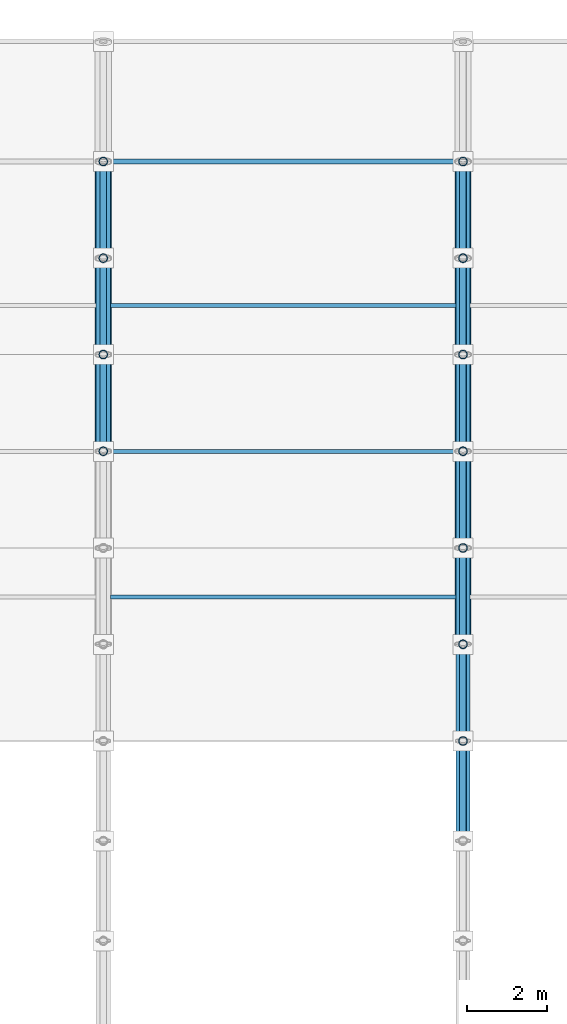
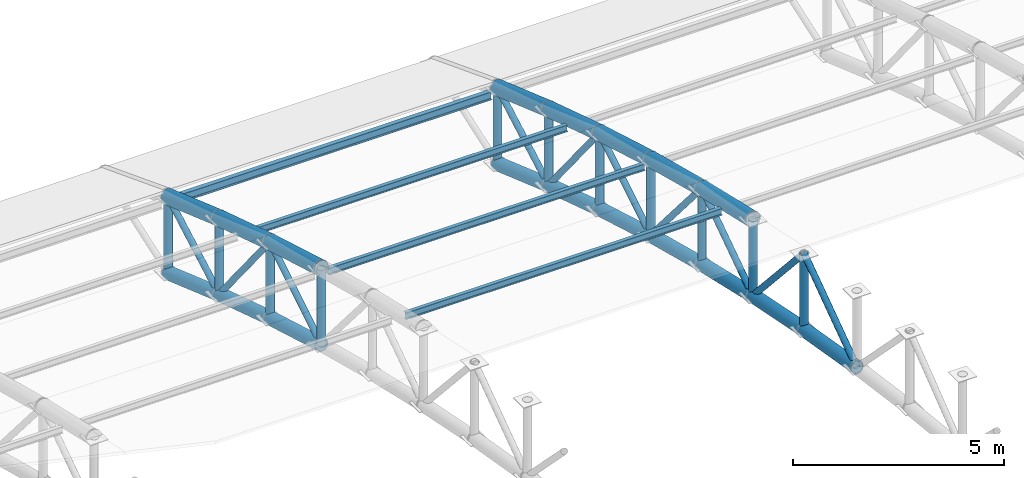
# One storey, part 83 of 195: 43 members.
"""IFC4 building model written with IfcOpenShell, lengths in metres."""

from ifc_helpers import new_model, si_unit, direction, frame, origin, origin_2d, place, context, subcontext, project, spatial, hollow_circle, i_section, extrude, material, material_profile, profile_set, type_object, element, save


model = new_model("IFC4")

# Units and contexts
model_context = context("Model", 3, precision=1e-05, world=origin(), true_north=direction((0.0, 1.0)))
body_context = subcontext(model_context, "Body", "Model", "MODEL_VIEW")
ifc_project = project(units=[si_unit("LENGTHUNIT", "METRE"), si_unit("AREAUNIT", "SQUARE_METRE"), si_unit("VOLUMEUNIT", "CUBIC_METRE"), si_unit("PLANEANGLEUNIT", "RADIAN"), si_unit("MASSUNIT", "GRAM", prefix="KILO")], contexts=[model_context])

# Site, building, storey
site_placement = place(None, origin())
site = spatial("IfcSite", under=ifc_project, at=site_placement, CompositionType="ELEMENT")
building_placement = place(site_placement, origin())
building = spatial("IfcBuilding", under=site, at=building_placement, Name="Marlcrest Central Station", CompositionType="ELEMENT")
storey_placement = place(building_placement, frame((0.0, 0.0, 9.800048828125)))
storey = spatial("IfcBuildingStorey", under=building, at=storey_placement, Name="L02", CompositionType="ELEMENT", Elevation=9.800048828125)

# Members
ifc_material = material(Name="Steel S355", Category="steel")
ifc_material_profile_1 = material_profile(ifc_material, hollow_circle(Radius=0.203125, WallThickness=0.02001953125, at=origin_2d()), Name="CHS 406.4x20")
ifc_profile_set_1 = profile_set([ifc_material_profile_1], Name="Steel S355")
member_type_1 = type_object("IfcMemberType", Name="AC-01", PredefinedType="CHORD", material=ifc_profile_set_1)
member_1_placement = place(storey_placement, frame((180.0, 88.25, 3.927978515625), z_axis=(0.0, 0.960130083362, -0.27955361386), x_axis=(-1.0, 0.0, 0.0)))
element("IfcMember", 1, at=member_1_placement, inside=storey, type_object=member_type_1, Name="mem-AC-01-L02-01640", PredefinedType="CHORD", context=body_context, shape_type="SweptSolid", body=[
    extrude(hollow_circle(Radius=0.203125, WallThickness=0.02001953125, at=origin_2d()), origin(), (0.0, 0.0, 1.0), 2.5205078125),
])
member_2_placement = place(storey_placement, frame((180.0, 90.669921875, 3.223388671875), z_axis=(0.0, 0.952116828449, -0.305734435391), x_axis=(-1.0, 0.0, 0.0)))
element("IfcMember", 2, at=member_2_placement, inside=storey, type_object=member_type_1, Name="mem-AC-01-L02-01644", PredefinedType="CHORD", context=body_context, shape_type="SweptSolid", body=[
    extrude(hollow_circle(Radius=0.203125, WallThickness=0.02001953125, at=origin_2d()), origin(), (0.0, 0.0, 1.0), 2.53125),
])
member_3_placement = place(storey_placement, frame((180.0, 93.080078125, 2.449462890625), z_axis=(0.0, 0.94353735649, -0.331266142109), x_axis=(-1.0, 0.0, 0.0)))
element("IfcMember", 3, at=member_3_placement, inside=storey, type_object=member_type_1, Name="mem-AC-01-L02-01648", PredefinedType="CHORD", context=body_context, shape_type="SweptSolid", body=[
    extrude(hollow_circle(Radius=0.203125, WallThickness=0.02001953125, at=origin_2d()), origin(), (0.0, 0.0, 1.0), 2.564697265625),
])
member_4_placement = place(storey_placement, frame((189.0, 83.419921875, 5.116943359375), z_axis=(0.0, 0.974329612642, -0.225126200004), x_axis=(-1.0, 0.0, 0.0)))
element("IfcMember", 4, at=member_4_placement, inside=storey, type_object=member_type_1, Name="mem-AC-01-L02-01748", PredefinedType="CHORD", context=body_context, shape_type="SweptSolid", body=[
    extrude(hollow_circle(Radius=0.203125, WallThickness=0.02001953125, at=origin_2d()), origin(), (0.0, 0.0, 1.0), 2.4736328125),
])
member_5_placement = place(storey_placement, frame((189.0, 85.830078125, 4.56005859375), z_axis=(0.0, 0.967539481681, -0.252719906989), x_axis=(-1.0, 0.0, 0.0)))
element("IfcMember", 5, at=member_5_placement, inside=storey, type_object=member_type_1, Name="mem-AC-01-L02-01752", PredefinedType="CHORD", context=body_context, shape_type="SweptSolid", body=[
    extrude(hollow_circle(Radius=0.203125, WallThickness=0.02001953125, at=origin_2d()), origin(), (0.0, 0.0, 1.0), 2.501220703125),
])
member_6_placement = place(storey_placement, frame((189.0, 88.25, 3.927978515625), z_axis=(0.0, 0.960130083362, -0.27955361386), x_axis=(-1.0, 0.0, 0.0)))
element("IfcMember", 6, at=member_6_placement, inside=storey, type_object=member_type_1, Name="mem-AC-01-L02-01756", PredefinedType="CHORD", context=body_context, shape_type="SweptSolid", body=[
    extrude(hollow_circle(Radius=0.203125, WallThickness=0.02001953125, at=origin_2d()), origin(), (0.0, 0.0, 1.0), 2.5205078125),
])
member_7_placement = place(storey_placement, frame((189.0, 90.669921875, 3.223388671875), z_axis=(0.0, 0.952116828449, -0.305734435391), x_axis=(-1.0, 0.0, 0.0)))
element("IfcMember", 7, at=member_7_placement, inside=storey, type_object=member_type_1, Name="mem-AC-01-L02-01760", PredefinedType="CHORD", context=body_context, shape_type="SweptSolid", body=[
    extrude(hollow_circle(Radius=0.203125, WallThickness=0.02001953125, at=origin_2d()), origin(), (0.0, 0.0, 1.0), 2.53125),
])
member_8_placement = place(storey_placement, frame((189.0, 93.080078125, 2.449462890625), z_axis=(0.0, 0.94353735649, -0.331266142109), x_axis=(-1.0, 0.0, 0.0)))
element("IfcMember", 8, at=member_8_placement, inside=storey, type_object=member_type_1, Name="mem-AC-01-L02-01764", PredefinedType="CHORD", context=body_context, shape_type="SweptSolid", body=[
    extrude(hollow_circle(Radius=0.203125, WallThickness=0.02001953125, at=origin_2d()), origin(), (0.0, 0.0, 1.0), 2.564697265625),
])
ifc_material_profile_2 = material_profile(ifc_material, hollow_circle(Radius=0.177734375, WallThickness=0.01611328125, at=origin_2d()), Name="CHS 355.6x16")
ifc_profile_set_2 = profile_set([ifc_material_profile_2], Name="Steel S355")
member_type_2 = type_object("IfcMemberType", Name="AC-02", PredefinedType="CHORD", material=ifc_profile_set_2)
member_9_placement = place(storey_placement, frame((180.0, 88.25, 1.72802734375), z_axis=(0.0, 0.960130083362, -0.27955361386), x_axis=(-1.0, 0.0, 0.0)))
element("IfcMember", 9, at=member_9_placement, inside=storey, type_object=member_type_2, Name="mem-AC-02-L02-01641", PredefinedType="CHORD", context=body_context, shape_type="SweptSolid", body=[
    extrude(hollow_circle(Radius=0.177734375, WallThickness=0.01611328125, at=origin_2d()), origin(), (0.0, 0.0, 1.0), 2.5205078125),
])
member_10_placement = place(storey_placement, frame((180.0, 90.669921875, 1.0234375), z_axis=(0.0, 0.952116828449, -0.305734435391), x_axis=(-1.0, 0.0, 0.0)))
element("IfcMember", 10, at=member_10_placement, inside=storey, type_object=member_type_2, Name="mem-AC-02-L02-01645", PredefinedType="CHORD", context=body_context, shape_type="SweptSolid", body=[
    extrude(hollow_circle(Radius=0.177734375, WallThickness=0.01611328125, at=origin_2d()), origin(), (0.0, 0.0, 1.0), 2.53125),
])
member_11_placement = place(storey_placement, frame((180.0, 93.080078125, 0.24951171875), z_axis=(0.0, 0.94353735649, -0.331266142109), x_axis=(-1.0, 0.0, 0.0)))
element("IfcMember", 11, at=member_11_placement, inside=storey, type_object=member_type_2, Name="mem-AC-02-L02-01649", PredefinedType="CHORD", context=body_context, shape_type="SweptSolid", body=[
    extrude(hollow_circle(Radius=0.177734375, WallThickness=0.01611328125, at=origin_2d()), origin(), (0.0, 0.0, 1.0), 2.564697265625),
])
member_12_placement = place(storey_placement, frame((189.0, 78.5, 3.83056640625), z_axis=(0.0, 0.98574109921, -0.168269086076), x_axis=(-1.0, 0.0, 0.0)))
element("IfcMember", 12, at=member_12_placement, inside=storey, type_object=member_type_2, Name="mem-AC-02-L02-01741", PredefinedType="CHORD", context=body_context, shape_type="SweptSolid", body=[
    extrude(hollow_circle(Radius=0.177734375, WallThickness=0.01611328125, at=origin_2d()), origin(), (0.0, 0.0, 1.0), 2.5361328125),
])
member_13_placement = place(storey_placement, frame((189.0, 81.0, 3.40380859375), z_axis=(0.0, 0.980359417961, -0.197219196874), x_axis=(-1.0, 0.0, 0.0)))
element("IfcMember", 13, at=member_13_placement, inside=storey, type_object=member_type_2, Name="mem-AC-02-L02-01745", PredefinedType="CHORD", context=body_context, shape_type="SweptSolid", body=[
    extrude(hollow_circle(Radius=0.177734375, WallThickness=0.01611328125, at=origin_2d()), origin(), (0.0, 0.0, 1.0), 2.468505859375),
])
member_14_placement = place(storey_placement, frame((189.0, 83.419921875, 2.9169921875), z_axis=(0.0, 0.974307959875, -0.225219891049), x_axis=(-1.0, 0.0, 0.0)))
element("IfcMember", 14, at=member_14_placement, inside=storey, type_object=member_type_2, Name="mem-AC-02-L02-01749", PredefinedType="CHORD", context=body_context, shape_type="SweptSolid", body=[
    extrude(hollow_circle(Radius=0.177734375, WallThickness=0.01611328125, at=origin_2d()), origin(), (0.0, 0.0, 1.0), 2.4736328125),
])
member_15_placement = place(storey_placement, frame((189.0, 85.830078125, 2.35986328125), z_axis=(0.0, 0.967563345928, -0.252628524946), x_axis=(-1.0, 0.0, 0.0)))
element("IfcMember", 15, at=member_15_placement, inside=storey, type_object=member_type_2, Name="mem-AC-02-L02-01753", PredefinedType="CHORD", context=body_context, shape_type="SweptSolid", body=[
    extrude(hollow_circle(Radius=0.177734375, WallThickness=0.01611328125, at=origin_2d()), origin(), (0.0, 0.0, 1.0), 2.5009765625),
])
member_16_placement = place(storey_placement, frame((189.0, 88.25, 1.72802734375), z_axis=(0.0, 0.960130083362, -0.27955361386), x_axis=(-1.0, 0.0, 0.0)))
element("IfcMember", 16, at=member_16_placement, inside=storey, type_object=member_type_2, Name="mem-AC-02-L02-01757", PredefinedType="CHORD", context=body_context, shape_type="SweptSolid", body=[
    extrude(hollow_circle(Radius=0.177734375, WallThickness=0.01611328125, at=origin_2d()), origin(), (0.0, 0.0, 1.0), 2.5205078125),
])
member_17_placement = place(storey_placement, frame((189.0, 90.669921875, 1.0234375), z_axis=(0.0, 0.952116828449, -0.305734435391), x_axis=(-1.0, 0.0, 0.0)))
element("IfcMember", 17, at=member_17_placement, inside=storey, type_object=member_type_2, Name="mem-AC-02-L02-01761", PredefinedType="CHORD", context=body_context, shape_type="SweptSolid", body=[
    extrude(hollow_circle(Radius=0.177734375, WallThickness=0.01611328125, at=origin_2d()), origin(), (0.0, 0.0, 1.0), 2.53125),
])
member_18_placement = place(storey_placement, frame((189.0, 93.080078125, 0.24951171875), z_axis=(0.0, 0.94353735649, -0.331266142109), x_axis=(-1.0, 0.0, 0.0)))
element("IfcMember", 18, at=member_18_placement, inside=storey, type_object=member_type_2, Name="mem-AC-02-L02-01765", PredefinedType="CHORD", context=body_context, shape_type="SweptSolid", body=[
    extrude(hollow_circle(Radius=0.177734375, WallThickness=0.01611328125, at=origin_2d()), origin(), (0.0, 0.0, 1.0), 2.564697265625),
])
ifc_material_profile_3 = material_profile(ifc_material, hollow_circle(Radius=0.084228515625, WallThickness=0.010009765625, at=origin_2d()), Name="CHS 168.3x10")
ifc_profile_set_3 = profile_set([ifc_material_profile_3], Name="Steel S355")
member_type_3 = type_object("IfcMemberType", Name="AD-01", PredefinedType="BRACE", material=ifc_profile_set_3)
member_19_placement = place(storey_placement, frame((180.0, 88.25, 1.72802734375), z_axis=(0.0, 0.850687380038, 0.525671933286), x_axis=(-1.0, 0.0, 0.0)))
element("IfcMember", 19, at=member_19_placement, inside=storey, type_object=member_type_3, Name="mem-AD-01-L02-01643", PredefinedType="BRACE", context=body_context, shape_type="SweptSolid", body=[
    extrude(hollow_circle(Radius=0.084228515625, WallThickness=0.010009765625, at=origin_2d()), origin(), (0.0, 0.0, 1.0), 2.8447265625),
])
member_20_placement = place(storey_placement, frame((180.0, 90.669921875, 3.223388671875), z_axis=(0.0, 0.62962929743, -0.776895712318), x_axis=(-1.0, 0.0, 0.0)))
element("IfcMember", 20, at=member_20_placement, inside=storey, type_object=member_type_3, Name="mem-AD-01-L02-01647", PredefinedType="BRACE", context=body_context, shape_type="SweptSolid", body=[
    extrude(hollow_circle(Radius=0.084228515625, WallThickness=0.010009765625, at=origin_2d()), origin(), (0.0, 0.0, 1.0), 3.827880859375),
])
member_21_placement = place(storey_placement, frame((180.0, 93.080078125, 0.24951171875), z_axis=(0.0, 0.873245653167, 0.487280236851), x_axis=(-1.0, 0.0, 0.0)))
element("IfcMember", 21, at=member_21_placement, inside=storey, type_object=member_type_3, Name="mem-AD-01-L02-01651", PredefinedType="BRACE", context=body_context, shape_type="SweptSolid", body=[
    extrude(hollow_circle(Radius=0.084228515625, WallThickness=0.010009765625, at=origin_2d()), origin(), (0.0, 0.0, 1.0), 2.771240234375),
])
member_22_placement = place(storey_placement, frame((189.0, 78.5, 3.83056640625), z_axis=(0.0, 0.815661132754, 0.57852996164), x_axis=(-1.0, 0.0, 0.0)))
element("IfcMember", 22, at=member_22_placement, inside=storey, type_object=member_type_3, Name="mem-AD-01-L02-01743", PredefinedType="BRACE", context=body_context, shape_type="SweptSolid", body=[
    extrude(hollow_circle(Radius=0.084228515625, WallThickness=0.010009765625, at=origin_2d()), origin(), (0.0, 0.0, 1.0), 3.06494140625),
])
member_23_placement = place(storey_placement, frame((189.0, 81.0, 5.603759765625), z_axis=(0.0, 0.669244457479, -0.743042297675), x_axis=(-1.0, 0.0, 0.0)))
element("IfcMember", 23, at=member_23_placement, inside=storey, type_object=member_type_3, Name="mem-AD-01-L02-01747", PredefinedType="BRACE", context=body_context, shape_type="SweptSolid", body=[
    extrude(hollow_circle(Radius=0.084228515625, WallThickness=0.010009765625, at=origin_2d()), origin(), (0.0, 0.0, 1.0), 3.615966796875),
])
member_24_placement = place(storey_placement, frame((189.0, 83.419921875, 2.9169921875), z_axis=(0.0, 0.82626275624, 0.563284881432), x_axis=(-1.0, 0.0, 0.0)))
element("IfcMember", 24, at=member_24_placement, inside=storey, type_object=member_type_3, Name="mem-AD-01-L02-01751", PredefinedType="BRACE", context=body_context, shape_type="SweptSolid", body=[
    extrude(hollow_circle(Radius=0.084228515625, WallThickness=0.010009765625, at=origin_2d()), origin(), (0.0, 0.0, 1.0), 2.9169921875),
])
member_25_placement = place(storey_placement, frame((189.0, 85.830078125, 4.56005859375), z_axis=(0.0, 0.649624779144, -0.760254987699), x_axis=(-1.0, 0.0, 0.0)))
element("IfcMember", 25, at=member_25_placement, inside=storey, type_object=member_type_3, Name="mem-AD-01-L02-01755", PredefinedType="BRACE", context=body_context, shape_type="SweptSolid", body=[
    extrude(hollow_circle(Radius=0.084228515625, WallThickness=0.010009765625, at=origin_2d()), origin(), (0.0, 0.0, 1.0), 3.72509765625),
])
member_26_placement = place(storey_placement, frame((189.0, 88.25, 1.72802734375), z_axis=(0.0, 0.850687380038, 0.525671933286), x_axis=(-1.0, 0.0, 0.0)))
element("IfcMember", 26, at=member_26_placement, inside=storey, type_object=member_type_3, Name="mem-AD-01-L02-01759", PredefinedType="BRACE", context=body_context, shape_type="SweptSolid", body=[
    extrude(hollow_circle(Radius=0.084228515625, WallThickness=0.010009765625, at=origin_2d()), origin(), (0.0, 0.0, 1.0), 2.8447265625),
])
member_27_placement = place(storey_placement, frame((189.0, 90.669921875, 3.223388671875), z_axis=(0.0, 0.62962929743, -0.776895712318), x_axis=(-1.0, 0.0, 0.0)))
element("IfcMember", 27, at=member_27_placement, inside=storey, type_object=member_type_3, Name="mem-AD-01-L02-01763", PredefinedType="BRACE", context=body_context, shape_type="SweptSolid", body=[
    extrude(hollow_circle(Radius=0.084228515625, WallThickness=0.010009765625, at=origin_2d()), origin(), (0.0, 0.0, 1.0), 3.827880859375),
])
member_28_placement = place(storey_placement, frame((189.0, 93.080078125, 0.24951171875), z_axis=(0.0, 0.873245653167, 0.487280236851), x_axis=(-1.0, 0.0, 0.0)))
element("IfcMember", 28, at=member_28_placement, inside=storey, type_object=member_type_3, Name="mem-AD-01-L02-01767", PredefinedType="BRACE", context=body_context, shape_type="SweptSolid", body=[
    extrude(hollow_circle(Radius=0.084228515625, WallThickness=0.010009765625, at=origin_2d()), origin(), (0.0, 0.0, 1.0), 2.771240234375),
])
ifc_material_profile_4 = material_profile(ifc_material, hollow_circle(Radius=0.109619140625, WallThickness=0.012451171875, at=origin_2d()), Name="CHS 219.1x12.5")
ifc_profile_set_4 = profile_set([ifc_material_profile_4], Name="Steel S355")
member_type_4 = type_object("IfcMemberType", Name="AP-01", PredefinedType="POST", material=ifc_profile_set_4)
for number, where, z_axis, x_axis, name in (
    (29, (180.0, 88.25, 1.72802734375), (0.0, 0.0, 1.0), (1.0, 0.0, 0.0), "mem-AP-01-L02-01642"),
    (30, (180.0, 90.669921875, 1.0234375), (0.0, 0.0, 1.0), (1.0, 0.0, 0.0), "mem-AP-01-L02-01646"),
    (31, (180.0, 93.080078125, 0.24951171875), (0.0, 0.0, 1.0), (1.0, 0.0, 0.0), "mem-AP-01-L02-01650"),
    (32, (180.0, 95.5, -0.60009765625), (0.0, 0.0, 1.0), (1.0, 0.0, 0.0), "mem-AP-01-L02-01653"),
    (33, (189.0, 81.0, 3.40380859375), (0.0, 0.0, 1.0), (1.0, 0.0, 0.0), "mem-AP-01-L02-01746"),
    (34, (189.0, 83.419921875, 2.9169921875), (0.0, 0.0, 1.0), (1.0, 0.0, 0.0), "mem-AP-01-L02-01750"),
):
    element("IfcMember", number, at=place(storey_placement, frame(where, z_axis=z_axis, x_axis=x_axis)), inside=storey, type_object=member_type_4, Name=name, PredefinedType="POST", context=body_context, shape_type="SweptSolid", body=[
        extrude(hollow_circle(Radius=0.109619140625, WallThickness=0.012451171875, at=origin_2d()), origin(), (0.0, 0.0, 1.0), 2.199951171875),
    ])
member_29_placement = place(storey_placement, frame((189.0, 85.830078125, 2.35986328125), z_axis=(0.0, 0.0, 1.0), x_axis=(1.0, 0.0, 0.0)))
element("IfcMember", 35, at=member_29_placement, inside=storey, type_object=member_type_4, Name="mem-AP-01-L02-01754", PredefinedType="POST", context=body_context, shape_type="SweptSolid", body=[
    extrude(hollow_circle(Radius=0.109619140625, WallThickness=0.012451171875, at=origin_2d()), origin(), (0.0, 0.0, 1.0), 2.2001953125),
])
for number, where, z_axis, x_axis, name in (
    (36, (189.0, 88.25, 1.72802734375), (0.0, 0.0, 1.0), (1.0, 0.0, 0.0), "mem-AP-01-L02-01758"),
    (37, (189.0, 90.669921875, 1.0234375), (0.0, 0.0, 1.0), (1.0, 0.0, 0.0), "mem-AP-01-L02-01762"),
    (38, (189.0, 93.080078125, 0.24951171875), (0.0, 0.0, 1.0), (1.0, 0.0, 0.0), "mem-AP-01-L02-01766"),
    (39, (189.0, 95.5, -0.60009765625), (0.0, 0.0, 1.0), (1.0, 0.0, 0.0), "mem-AP-01-L02-01769"),
):
    element("IfcMember", number, at=place(storey_placement, frame(where, z_axis=z_axis, x_axis=x_axis)), inside=storey, type_object=member_type_4, Name=name, PredefinedType="POST", context=body_context, shape_type="SweptSolid", body=[
        extrude(hollow_circle(Radius=0.109619140625, WallThickness=0.012451171875, at=origin_2d()), origin(), (0.0, 0.0, 1.0), 2.199951171875),
    ])
ifc_material_profile_5 = material_profile(ifc_material, i_section(OverallWidth=0.10009765625, OverallDepth=0.199951171875, WebThickness=0.005615234375, FlangeThickness=0.008544921875, FilletRadius=0.011962890625, at=origin_2d()), Name="IPE 200")
ifc_profile_set_5 = profile_set([ifc_material_profile_5], Name="Steel S355")
member_type_5 = type_object("IfcMemberType", Name="PR-01", PredefinedType="PURLIN", material=ifc_profile_set_5)
for number, where, z_axis, x_axis, name in (
    (40, (180.179931640625, 84.60009765625, 4.713134765625), (1.0, 0.0, 0.0), (0.0, 1.0, 0.0), "mem-PR-01-L02-01665"),
    (41, (180.179931640625, 88.25, 3.7880859375), (1.0, 0.0, 0.0), (0.0, 1.0, 0.0), "mem-PR-01-L02-01666"),
    (42, (180.179931640625, 91.89990234375, 2.697509765625), (1.0, 0.0, 0.0), (0.0, 1.0, 0.0), "mem-PR-01-L02-01667"),
):
    element("IfcMember", number, at=place(storey_placement, frame(where, z_axis=z_axis, x_axis=x_axis)), inside=storey, type_object=member_type_5, Name=name, PredefinedType="PURLIN", context=body_context, shape_type="SweptSolid", body=[
        extrude(i_section(OverallWidth=0.10009765625, OverallDepth=0.199951171875, WebThickness=0.005615234375, FlangeThickness=0.008544921875, FilletRadius=0.011962890625, at=origin_2d()), origin(), (0.0, 0.0, 1.0), 8.64013671875),
    ])
ifc_material_profile_6 = material_profile(ifc_material, i_section(OverallWidth=0.1201171875, OverallDepth=0.239990234375, WebThickness=0.006103515625, FlangeThickness=0.009765625, FilletRadius=0.014892578125, at=origin_2d()), Name="IPE 240")
ifc_profile_set_6 = profile_set([ifc_material_profile_6], Name="Steel S355")
member_type_6 = type_object("IfcMemberType", Name="PR-02", PredefinedType="PURLIN", material=ifc_profile_set_6)
member_30_placement = place(storey_placement, frame((180.179931640625, 95.5, 1.4599609375), z_axis=(1.0, 0.0, 0.0), x_axis=(0.0, 1.0, 0.0)))
element("IfcMember", 43, at=member_30_placement, inside=storey, type_object=member_type_6, Name="mem-PR-02-L02-01668", PredefinedType="PURLIN", context=body_context, shape_type="SweptSolid", body=[
    extrude(i_section(OverallWidth=0.1201171875, OverallDepth=0.239990234375, WebThickness=0.006103515625, FlangeThickness=0.009765625, FilletRadius=0.014892578125, at=origin_2d()), origin(), (0.0, 0.0, 1.0), 8.64013671875),
])

save(model, "model.ifc")
